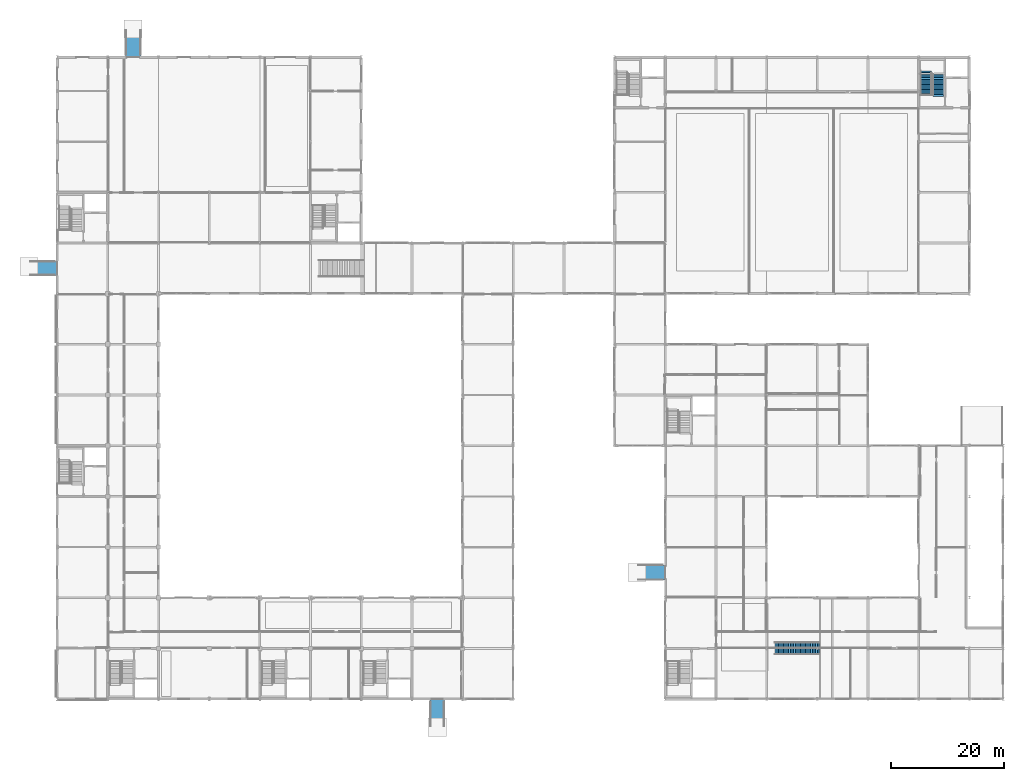
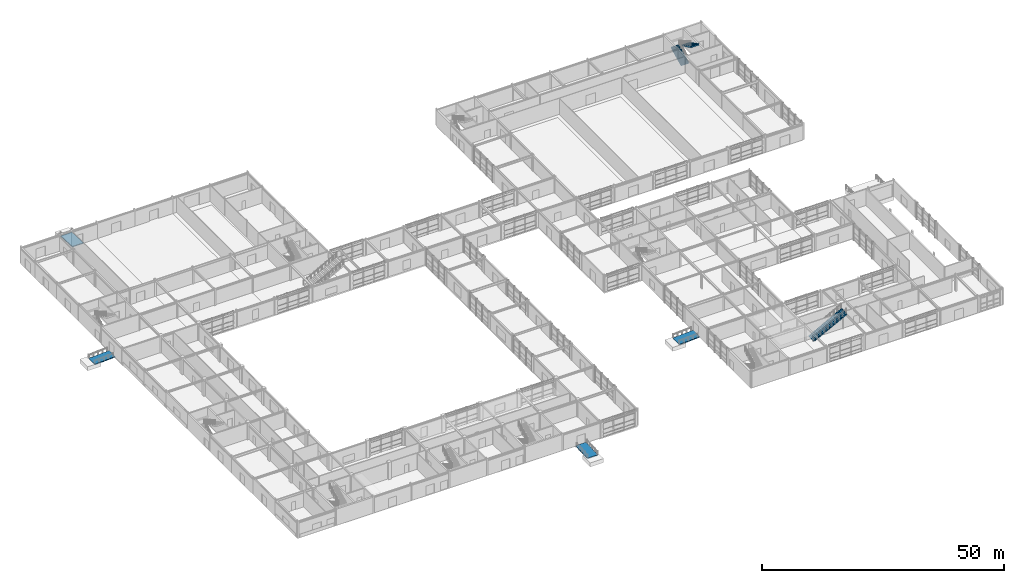
# One storey, part 69 of 72: 4 ramp flights, 3 stair flights, 6 elements without a shape of their own.
"""IFC4 building model written with IfcOpenShell, lengths in metres."""

from ifc_helpers import new_model, si_unit, direction, frame, origin, place, context, subcontext, project, spatial, polyline, outline, extrude, material, layer, layer_set, type_object, element, aggregate, save


model = new_model("IFC4")

# Units and contexts
model_context = context("Model", 3, precision=1e-05, world=origin(), true_north=direction((0.0, 1.0)))
body_context = subcontext(model_context, "Body", "Model", "MODEL_VIEW")
ifc_project = project(units=[si_unit("LENGTHUNIT", "METRE"), si_unit("AREAUNIT", "SQUARE_METRE"), si_unit("VOLUMEUNIT", "CUBIC_METRE"), si_unit("PLANEANGLEUNIT", "RADIAN"), si_unit("MASSUNIT", "GRAM", prefix="KILO")], contexts=[model_context])

# Site, building, storey
site_placement = place(None, origin())
site = spatial("IfcSite", under=ifc_project, at=site_placement, CompositionType="ELEMENT")
building_placement = place(site_placement, origin())
building = spatial("IfcBuilding", under=site, at=building_placement, Name="Palais des Congres Ocreval", CompositionType="ELEMENT")
storey_placement = place(building_placement, origin())
storey = spatial("IfcBuildingStorey", under=building, at=storey_placement, Name="L00", CompositionType="ELEMENT", Elevation=0.0)

# Stair, stair flight
ifc_material_1 = material(Name="Steel S355", Category="steel")
stair_type_1 = type_object("IfcStairType", Name="Commission Foyer Feature Stair 2200 Steel S355", PredefinedType="STRAIGHT_RUN_STAIR", material=ifc_material_1)
stair_1_placement = place(storey_placement, origin())
stair_1 = element("IfcStair", 1, at=stair_1_placement, inside=storey, type_object=stair_type_1, Name="Monumental Feature Stair ST12", PredefinedType="STRAIGHT_RUN_STAIR")
stair_flight_type_1 = type_object("IfcStairFlightType", Name="Commission Feature Flight W2200 Steel S355", PredefinedType="STRAIGHT", material=ifc_material_1)
stair_flight_1_placement = place(storey_placement, frame((127.5, 9.0, 0.0), z_axis=(0.0, 0.0, 1.0), x_axis=(1.0, 0.0, 0.0)))
stair_flight_1 = element("IfcStairFlight", 2, at=stair_flight_1_placement, type_object=stair_flight_type_1, Name="Monumental Stair Flight ST12", NumberOfRisers=27, NumberOfTreads=26, PredefinedType="STRAIGHT", RiserHeight=0.16, TreadLength=0.3, context=body_context, shape_type="SweptSolid", body=[
    extrude(outline(polyline([(-0.006103515625, 0.0), (-0.006103515625, 0.080078125), (0.0, 0.159912109375), (0.300048828125, 0.159912109375), (0.300048828125, 0.320068359375), (0.60009765625, 0.320068359375), (0.60009765625, 0.47998046875), (0.89990234375, 0.47998046875), (0.89990234375, 0.639892578125), (1.199951171875, 0.639892578125), (1.199951171875, 0.800048828125), (1.5, 0.800048828125), (1.5, 0.9599609375), (1.800048828125, 0.9599609375), (1.800048828125, 1.1201171875), (2.10009765625, 1.1201171875), (2.10009765625, 1.280029296875), (2.39990234375, 1.280029296875), (2.39990234375, 1.43994140625), (2.699951171875, 1.43994140625), (2.699951171875, 1.60009765625), (3.0, 1.60009765625), (3.0, 1.760009765625), (3.300048828125, 1.760009765625), (3.300048828125, 1.919921875), (3.60009765625, 1.919921875), (3.60009765625, 2.080078125), (3.89990234375, 2.080078125), (3.89990234375, 2.239990234375), (4.199951171875, 2.239990234375), (4.199951171875, 2.39990234375), (4.5, 2.39990234375), (4.5, 2.56005859375), (4.800048828125, 2.56005859375), (4.800048828125, 2.719970703125), (5.10009765625, 2.719970703125), (5.10009765625, 2.8798828125), (5.39990234375, 2.8798828125), (5.39990234375, 3.0400390625), (5.699951171875, 3.0400390625), (5.699951171875, 3.199951171875), (6.0, 3.199951171875), (6.0, 3.360107421875), (6.300048828125, 3.360107421875), (6.300048828125, 3.52001953125), (6.60009765625, 3.52001953125), (6.60009765625, 3.679931640625), (6.89990234375, 3.679931640625), (6.89990234375, 3.840087890625), (7.199951171875, 3.840087890625), (7.199951171875, 4.0), (7.5, 4.0), (7.5, 4.159912109375), (7.800048828125, 4.159912109375), (7.800048828125, 4.320068359375), (7.97998046875, 4.320068359375), (7.97998046875, 3.9560546875), (0.38232421875, 0.0), (-0.006103515625, 0.0)])), frame((0.0, 1.10009765625, 0.0), z_axis=(0.0, -1.0, 0.0), x_axis=(1.0, 0.0, 0.0)), (0.0, 0.0, 1.0), 2.199951171875),
])
aggregate(stair_1, [stair_flight_1])

# Stair, stair flights
ifc_material_2 = material(Name="Concrete C40/50", Category="concrete")
stair_type_2 = type_object("IfcStairType", Name="Wing Core Stair 1900 Concrete C40/50", PredefinedType="HALF_TURN_STAIR", material=ifc_material_2)
stair_2_placement = place(storey_placement, origin())
stair_2 = element("IfcStair", 3, at=stair_2_placement, inside=storey, type_object=stair_type_2, Name="Protected Core Stair ST08 L00", PredefinedType="HALF_TURN_STAIR")
stair_flight_type_2 = type_object("IfcStairFlightType", Name="Wing Stair Flight W1900 Concrete C40/50", PredefinedType="STRAIGHT", material=ifc_material_2)
stair_flight_2_placement = place(storey_placement, frame((154.320068359375, 107.35009765625, 0.0), z_axis=(0.0, 0.0, 1.0), x_axis=(0.0, 1.0, 0.0)))
stair_flight_2 = element("IfcStairFlight", 4, at=stair_flight_2_placement, type_object=stair_flight_type_2, Name="Stair ST08 L00 Flight 1", NumberOfRisers=14, NumberOfTreads=13, PredefinedType="STRAIGHT", RiserHeight=0.16, TreadLength=0.3, context=body_context, shape_type="SweptSolid", body=[
    extrude(outline(polyline([(-0.006103515625, 0.0), (-0.006103515625, 0.080078125), (0.0, 0.159912109375), (0.300048828125, 0.159912109375), (0.300048828125, 0.320068359375), (0.60009765625, 0.320068359375), (0.60009765625, 0.47998046875), (0.89990234375, 0.47998046875), (0.89990234375, 0.639892578125), (1.199951171875, 0.639892578125), (1.199951171875, 0.800048828125), (1.5, 0.800048828125), (1.5, 0.9599609375), (1.800048828125, 0.9599609375), (1.800048828125, 1.1201171875), (2.10009765625, 1.1201171875), (2.10009765625, 1.280029296875), (2.39990234375, 1.280029296875), (2.39990234375, 1.43994140625), (2.699951171875, 1.43994140625), (2.699951171875, 1.60009765625), (3.0, 1.60009765625), (3.0, 1.760009765625), (3.300048828125, 1.760009765625), (3.300048828125, 1.919921875), (3.60009765625, 1.919921875), (3.60009765625, 2.080078125), (3.89990234375, 2.080078125), (3.89990234375, 2.239990234375), (4.199951171875, 2.239990234375), (4.199951171875, 1.898681640625), (0.33984375, 0.0), (-0.006103515625, 0.0)])), frame((0.0, 0.949951171875, 0.0), z_axis=(0.0, -1.0, 0.0), x_axis=(1.0, 0.0, 0.0)), (0.0, 0.0, 1.0), 1.89990234375),
])
stair_flight_3_placement = place(storey_placement, frame((156.47998046875, 110.949951171875, 2.239990234375), z_axis=(0.0, 0.0, 1.0), x_axis=(0.0, -1.0, 0.0)))
stair_flight_3 = element("IfcStairFlight", 5, at=stair_flight_3_placement, type_object=stair_flight_type_2, Name="Stair ST08 L00 Flight 2", NumberOfRisers=13, NumberOfTreads=12, PredefinedType="STRAIGHT", RiserHeight=0.16, TreadLength=0.3, context=body_context, shape_type="SweptSolid", body=[
    extrude(outline(polyline([(-0.006103515625, 0.0), (-0.006103515625, 0.080078125), (0.0, 0.159912109375), (0.300048828125, 0.159912109375), (0.300048828125, 0.320068359375), (0.60009765625, 0.320068359375), (0.60009765625, 0.47998046875), (0.89990234375, 0.47998046875), (0.89990234375, 0.639892578125), (1.199951171875, 0.639892578125), (1.199951171875, 0.800048828125), (1.5, 0.800048828125), (1.5, 0.9599609375), (1.800048828125, 0.9599609375), (1.800048828125, 1.1201171875), (2.10009765625, 1.1201171875), (2.10009765625, 1.280029296875), (2.39990234375, 1.280029296875), (2.39990234375, 1.43994140625), (2.699951171875, 1.43994140625), (2.699951171875, 1.60009765625), (3.0, 1.60009765625), (3.0, 1.760009765625), (3.300048828125, 1.760009765625), (3.300048828125, 1.919921875), (3.60009765625, 1.919921875), (3.60009765625, 2.080078125), (3.89990234375, 2.080078125), (3.89990234375, 1.73876953125), (0.33984375, 0.0), (-0.006103515625, 0.0)])), frame((0.0, 0.949951171875, 0.0), z_axis=(0.0, -1.0, 0.0), x_axis=(1.0, 0.0, 0.0)), (0.0, 0.0, 1.0), 1.89990234375),
])
aggregate(stair_2, [stair_flight_2, stair_flight_3])

# Ramp, ramp flight
ramp_type_1 = type_object("IfcRampType", Name="Accessible PMR Parvis Ramp 2700 Concrete C40/50", PredefinedType="STRAIGHT_RUN_RAMP", material=ifc_material_2)
ramp_1_placement = place(storey_placement, origin())
ramp_1 = element("IfcRamp", 6, at=ramp_1_placement, inside=storey, type_object=ramp_type_1, Name="Cour d Ocre Cloister Accessible PMR Ramp R5", PredefinedType="STRAIGHT_RUN_RAMP")
ifc_layer_1 = layer(ifc_material_2, 0.219970703125)
ifc_layer_set_1 = layer_set([ifc_layer_1], Name="Accessible Parvis Ramp Flight 2700x220 Concrete C40/50")
ramp_flight_type_1 = type_object("IfcRampFlightType", Name="Accessible Parvis Ramp Flight 2700x220 Concrete C40/50", PredefinedType="STRAIGHT", material=ifc_layer_set_1)
ramp_flight_1_placement = place(storey_placement, frame((103.199951171875, 22.5, -0.280029296875), z_axis=(0.0, 0.0, 1.0), x_axis=(1.0, 0.0, 0.0)))
ramp_flight_1 = element("IfcRampFlight", 7, at=ramp_flight_1_placement, type_object=ramp_flight_type_1, Name="Cour d Ocre Cloister Accessible PMR Ramp R5 Flight 1", PredefinedType="STRAIGHT", context=body_context, shape_type="SweptSolid", body=[
    extrude(outline(polyline([(-0.0400390625, 0.0), (4.840087890625, 0.280029296875), (4.840087890625, 0.06005859375), (-0.0400390625, -0.219970703125), (-0.0400390625, 0.0)])), frame((0.0, 1.35009765625, 0.0), z_axis=(0.0, -1.0, 0.0), x_axis=(1.0, 0.0, 0.0)), (0.0, 0.0, 1.0), 2.699951171875),
])
aggregate(ramp_1, [ramp_flight_1])

ramp_2_placement = place(storey_placement, origin())
ramp_2 = element("IfcRamp", 8, at=ramp_2_placement, inside=storey, type_object=ramp_type_1, Name="North Congress Parvis Accessible PMR Ramp R6", PredefinedType="STRAIGHT_RUN_RAMP")
ramp_flight_2_placement = place(storey_placement, frame((13.5, 118.800048828125, -0.280029296875), z_axis=(0.0, 0.0, 1.0), x_axis=(0.0, -1.0, 0.0)))
ramp_flight_2 = element("IfcRampFlight", 9, at=ramp_flight_2_placement, type_object=ramp_flight_type_1, Name="North Congress Parvis Accessible PMR Ramp R6 Flight 1", PredefinedType="STRAIGHT", context=body_context, shape_type="SweptSolid", body=[
    extrude(outline(polyline([(-0.0400390625, 0.0), (4.840087890625, 0.280029296875), (4.840087890625, 0.06005859375), (-0.0400390625, -0.219970703125), (-0.0400390625, 0.0)])), frame((0.0, 1.35009765625, 0.0), z_axis=(0.0, -1.0, 0.0), x_axis=(1.0, 0.0, 0.0)), (0.0, 0.0, 1.0), 2.699951171875),
])
aggregate(ramp_2, [ramp_flight_2])

ramp_type_2 = type_object("IfcRampType", Name="Accessible PMR Forecourt Ramp 2500 Concrete C40/50", PredefinedType="STRAIGHT_RUN_RAMP", material=ifc_material_2)
ramp_3_placement = place(storey_placement, origin())
ramp_3 = element("IfcRamp", 10, at=ramp_3_placement, inside=storey, type_object=ramp_type_2, Name="West Forecourt Accessible PMR Ramp R3", PredefinedType="STRAIGHT_RUN_RAMP")
ifc_layer_2 = layer(ifc_material_2, 0.219970703125)
ifc_layer_set_2 = layer_set([ifc_layer_2], Name="Accessible Ramp Flight 2500x220 Concrete C40/50")
ramp_flight_type_2 = type_object("IfcRampFlightType", Name="Accessible Ramp Flight 2500x220 Concrete C40/50", PredefinedType="STRAIGHT", material=ifc_layer_set_2)
ramp_flight_3_placement = place(storey_placement, frame((-4.800048828125, 76.5, -0.280029296875), z_axis=(0.0, 0.0, 1.0), x_axis=(1.0, 0.0, 0.0)))
ramp_flight_3 = element("IfcRampFlight", 11, at=ramp_flight_3_placement, type_object=ramp_flight_type_2, Name="West Forecourt Accessible PMR Ramp R3 Flight 1", PredefinedType="STRAIGHT", context=body_context, shape_type="SweptSolid", body=[
    extrude(outline(polyline([(-0.0400390625, 0.0), (4.840087890625, 0.280029296875), (4.840087890625, 0.06005859375), (-0.0400390625, -0.219970703125), (-0.0400390625, 0.0)])), frame((0.0, 1.25, 0.0), z_axis=(0.0, -1.0, 0.0), x_axis=(1.0, 0.0, 0.0)), (0.0, 0.0, 1.0), 2.5),
])
aggregate(ramp_3, [ramp_flight_3])

ramp_4_placement = place(storey_placement, origin())
ramp_4 = element("IfcRamp", 12, at=ramp_4_placement, inside=storey, type_object=ramp_type_2, Name="South Crossroads Accessible PMR Ramp R4", PredefinedType="STRAIGHT_RUN_RAMP")
ramp_flight_4_placement = place(storey_placement, frame((67.5, -4.800048828125, -0.280029296875), z_axis=(0.0, 0.0, 1.0), x_axis=(0.0, 1.0, 0.0)))
ramp_flight_4 = element("IfcRampFlight", 13, at=ramp_flight_4_placement, type_object=ramp_flight_type_2, Name="South Crossroads Accessible PMR Ramp R4 Flight 1", PredefinedType="STRAIGHT", context=body_context, shape_type="SweptSolid", body=[
    extrude(outline(polyline([(-0.0400390625, 0.0), (4.840087890625, 0.280029296875), (4.840087890625, 0.06005859375), (-0.0400390625, -0.219970703125), (-0.0400390625, 0.0)])), frame((0.0, 1.25, 0.0), z_axis=(0.0, -1.0, 0.0), x_axis=(1.0, 0.0, 0.0)), (0.0, 0.0, 1.0), 2.5),
])
aggregate(ramp_4, [ramp_flight_4])

save(model, "model.ifc")
